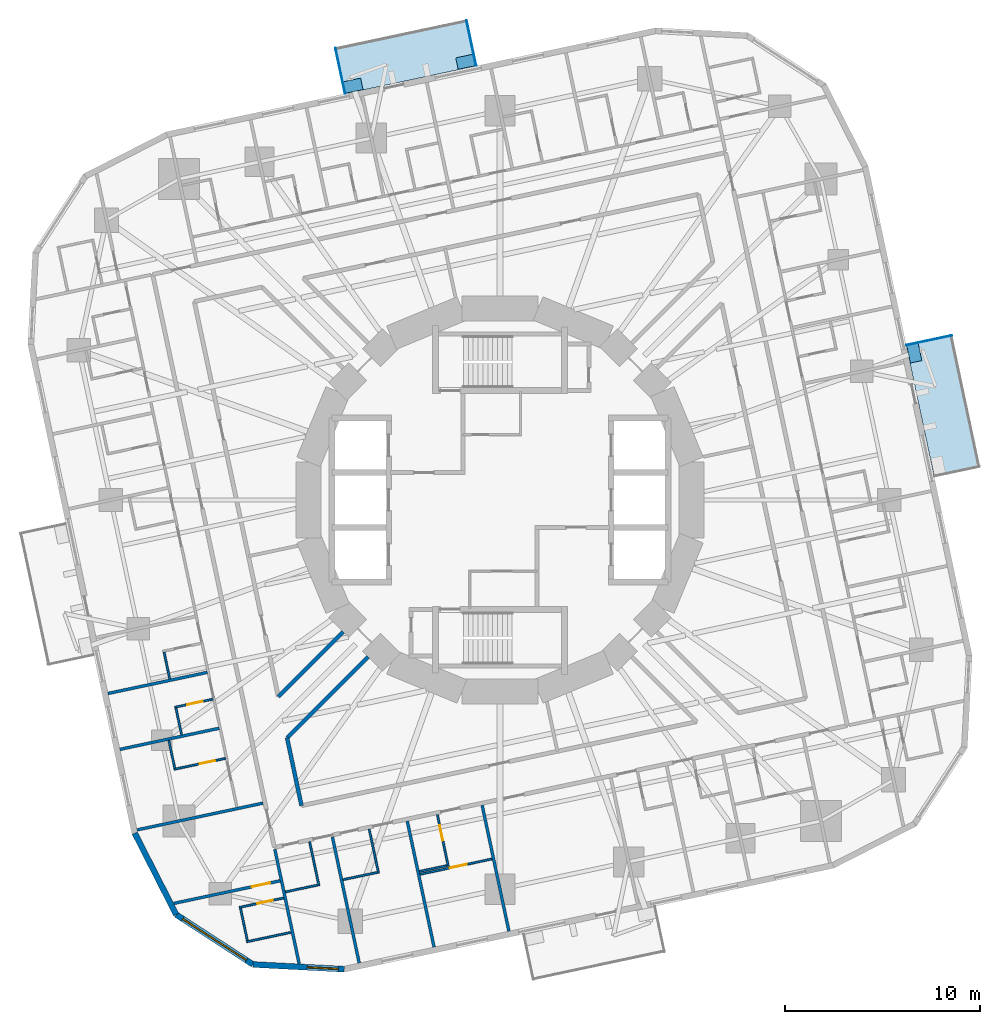
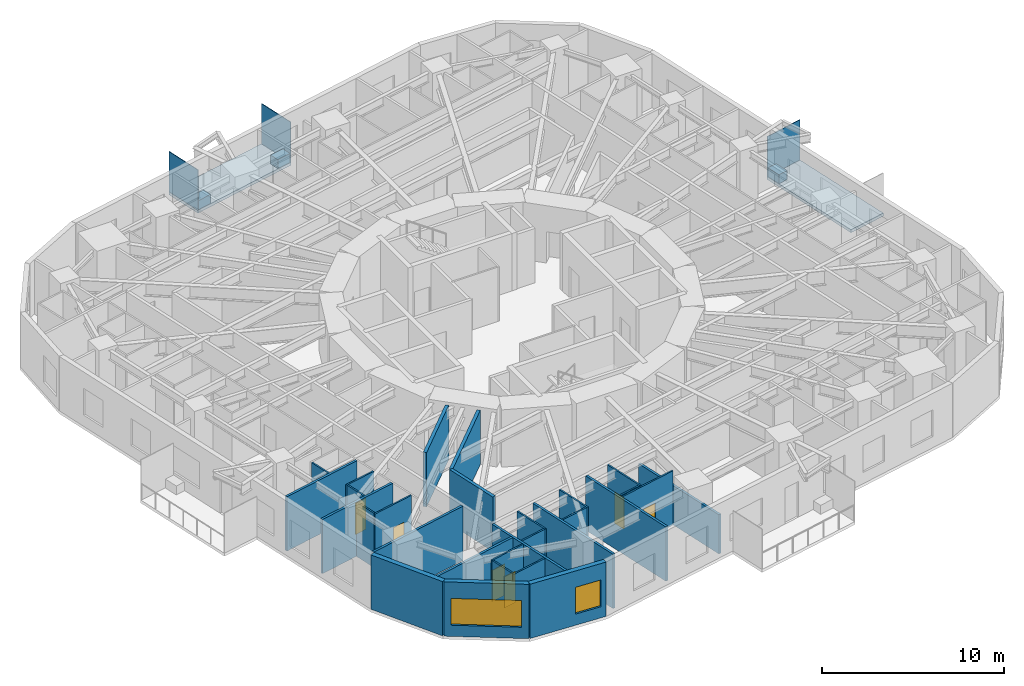
# One storey, part 4 of 14: 29 walls, 6 doors, 6 plates, 2 slabs, 2 windows, 8 openings.
"""IFC4 building model written with IfcOpenShell, lengths in metres."""

from ifc_helpers import new_model, si_unit, direction, frame, frame_2d, origin, origin_2d, place, context, subcontext, project, spatial, polyline, rectangle, outline, extrude, material, layer, layer_set, type_object, element, fill, save


model = new_model("IFC4")

# Units and contexts
model_context = context("Model", 3, precision=1e-05, world=origin(), true_north=direction((0.0, 1.0)))
body_context = subcontext(model_context, "Body", "Model", "MODEL_VIEW")
ifc_project = project(units=[si_unit("LENGTHUNIT", "METRE"), si_unit("AREAUNIT", "SQUARE_METRE"), si_unit("VOLUMEUNIT", "CUBIC_METRE"), si_unit("PLANEANGLEUNIT", "RADIAN"), si_unit("MASSUNIT", "GRAM", prefix="KILO")], contexts=[model_context])

# Site, building, storey
site_placement = place(None, origin())
site = spatial("IfcSite", under=ifc_project, at=site_placement, CompositionType="ELEMENT")
building_placement = place(site_placement, origin())
building = spatial("IfcBuilding", under=site, at=building_placement, Name="Nakasero Lantern House", CompositionType="ELEMENT")
storey_placement = place(building_placement, frame((0.0, 0.0, 105.0)))
storey = spatial("IfcBuildingStorey", under=building, at=storey_placement, Name="L25", CompositionType="ELEMENT", Elevation=105.0)

# Plates
ifc_material_1 = material(Name="Aluminium 6063-T6", Category="aluminium")
ifc_layer_1 = layer(ifc_material_1, 0.60009765625)
ifc_layer_set_1 = layer_set([ifc_layer_1], Name="Balcony planter 600x900")
plate_type_1 = type_object("IfcPlateType", Name="Balcony planter 600x900", PredefinedType="USERDEFINED", material=ifc_layer_set_1)
for number, where, z_axis, x_axis, name in (
    (1, (21.220947265625, 7.516357421875, 0.0), (0.0, 0.0, 1.0), (0.978147600734, 0.207911690818, 0.0), "Balcony PLANTER L25 BAL0B"),
    (2, (-1.764892578125, 22.443603515625, 0.0), (0.0, 0.0, 1.0), (-0.207911690818, 0.978147600734, 0.0), "Balcony PLANTER L25 BAL1A"),
    (3, (-7.516357421875, 21.220947265625, 0.0), (0.0, 0.0, 1.0), (-0.207911690818, 0.978147600734, 0.0), "Balcony PLANTER L25 BAL1B"),
):
    element("IfcPlate", number, at=place(storey_placement, frame(where, z_axis=z_axis, x_axis=x_axis)), inside=storey, type_object=plate_type_1, Name=name, ObjectType="PLANTER", PredefinedType="USERDEFINED", context=body_context, shape_type="SweptSolid", body=[
        extrude(rectangle(XDim=0.60009765625, YDim=0.89990234375, at=origin_2d()), origin(), (0.0, 0.0, 1.0), 0.60009765625),
    ])
ifc_material_2 = material(Name="Aluminium 6063-T6", Category="aluminium")
ifc_layer_2 = layer(ifc_material_2, 0.0400390625)
ifc_layer_set_2 = layer_set([ifc_layer_2], Name="Balcony screen 2400x2700")
plate_type_2 = type_object("IfcPlateType", Name="Balcony screen 2400x2700", PredefinedType="SHEET", material=ifc_layer_set_2)
for number, where, z_axis, x_axis, name in (
    (4, (21.97998046875, 8.1787109375, 0.0), (0.0, 0.0, 1.0), (0.978147600734, 0.207911690818, 0.0), "Balcony SCREEN L25 BAL0B"),
    (5, (-1.468505859375, 23.40625, 0.0), (0.0, 0.0, 1.0), (-0.207911690818, 0.978147600734, 0.0), "Balcony SCREEN L25 BAL1A"),
    (6, (-8.1787109375, 21.97998046875, 0.0), (0.0, 0.0, 1.0), (-0.207911690818, 0.978147600734, 0.0), "Balcony SCREEN L25 BAL1B"),
):
    element("IfcPlate", number, at=place(storey_placement, frame(where, z_axis=z_axis, x_axis=x_axis)), inside=storey, type_object=plate_type_2, Name=name, PredefinedType="SHEET", context=body_context, shape_type="SweptSolid", body=[
        extrude(rectangle(XDim=2.39990234375, YDim=0.0400390625, at=origin_2d()), origin(), (0.0, 0.0, 1.0), 2.699951171875),
    ])

# Slabs
ifc_material_3 = material(Name="Concrete C35/45", Category="concrete")
ifc_layer_3 = layer(ifc_material_3, 0.199951171875)
ifc_layer_set_3 = layer_set([ifc_layer_3], Name="Balcony slab 200")
slab_type = type_object("IfcSlabType", Name="Balcony slab 200", PredefinedType="USERDEFINED", material=ifc_layer_set_3)
slab_1_placement = place(storey_placement, frame((0.0, 0.0, -0.199951171875)))
element("IfcSlab", 7, at=slab_1_placement, inside=storey, type_object=slab_type, Name="Balcony L25 BAL0", ObjectType="BALCONY", PredefinedType="USERDEFINED", context=body_context, shape_type="SweptSolid", body=[
    extrude(outline(polyline([(22.236572265625, 1.199462890625), (24.583984375, 1.698486328125), (23.1494140625, 8.44775390625), (20.802001953125, 7.94873046875), (22.236572265625, 1.199462890625)])), origin(), (0.0, 0.0, 1.0), 0.199951171875),
])
slab_2_placement = place(storey_placement, frame((0.0, 0.0, -0.199951171875)))
element("IfcSlab", 8, at=slab_2_placement, inside=storey, type_object=slab_type, Name="Balcony L25 BAL1", ObjectType="BALCONY", PredefinedType="USERDEFINED", context=body_context, shape_type="SweptSolid", body=[
    extrude(outline(polyline([(-1.199462890625, 22.236572265625), (-1.698486328125, 24.583984375), (-8.44775390625, 23.1494140625), (-7.94873046875, 20.802001953125), (-1.199462890625, 22.236572265625)])), origin(), (0.0, 0.0, 1.0), 0.199951171875),
])

# Walls
ifc_material_4 = material(Name="Blockwork", Category="masonry")
ifc_layer_4 = layer(ifc_material_4, 0.199951171875)
ifc_layer_set_4 = layer_set([ifc_layer_4], Name="Corridor wall 200")
wall_type_1 = type_object("IfcWallType", Name="Corridor wall 200", PredefinedType="PARTITIONING", material=ifc_layer_set_4)
wall_1_placement = place(storey_placement, frame((-10.90625, -12.178955078125, 0.0), z_axis=(0.0, 0.0, 1.0), x_axis=(0.207962251708, -0.978136852319, 0.0)))
element("IfcWall", 9, at=wall_1_placement, inside=storey, type_object=wall_type_1, Name="Corridor wall L25 IW2-1", PredefinedType="PARTITIONING", context=body_context, shape_type="SweptSolid", body=[
    extrude(rectangle(XDim=3.5546875, YDim=0.199951171875, at=frame_2d((1.77734375, 0.0))), origin(), (0.0, 0.0, 1.0), 3.64990234375),
])
wall_2_placement = place(storey_placement, frame((-6.758544921875, -8.03125, 0.0), z_axis=(0.0, 0.0, 1.0), x_axis=(-0.707106781187, -0.707106781187, 0.0)))
element("IfcWall", 10, at=wall_2_placement, inside=storey, type_object=wall_type_1, Name="Corridor wall L25 PS10a", PredefinedType="PARTITIONING", context=body_context, shape_type="SweptSolid", body=[
    extrude(rectangle(XDim=5.86572265625, YDim=0.199951171875, at=frame_2d((2.932861328125, 0.0))), origin(), (0.0, 0.0, 1.0), 3.64990234375),
])
wall_3_placement = place(storey_placement, frame((-8.03125, -6.758544921875, 0.0), z_axis=(0.0, 0.0, 1.0), x_axis=(-0.707106781187, -0.707106781187, 0.0)))
element("IfcWall", 11, at=wall_3_placement, inside=storey, type_object=wall_type_1, Name="Corridor wall L25 PS10b", PredefinedType="PARTITIONING", context=body_context, shape_type="SweptSolid", body=[
    extrude(rectangle(XDim=4.69677734375, YDim=0.199951171875, at=frame_2d((2.348388671875, 0.0))), origin(), (0.0, 0.0, 1.0), 3.64990234375),
])
ifc_material_5 = material(Name="Blockwork", Category="masonry")
ifc_layer_5 = layer(ifc_material_5, 0.10009765625)
ifc_layer_set_5 = layer_set([ifc_layer_5], Name="En-suite wall 100")
wall_type_2 = type_object("IfcWallType", Name="En-suite wall 100", PredefinedType="PARTITIONING", material=ifc_layer_set_5)
wall_4_placement = place(storey_placement, frame((-17.2060546875, -7.79150390625, 0.0), z_axis=(0.0, 0.0, 1.0), x_axis=(0.207873355681, -0.978155748334, 0.0)))
element("IfcWall", 12, at=wall_4_placement, inside=storey, type_object=wall_type_2, Name="En-suite wall L25 EE2-05", PredefinedType="PARTITIONING", context=body_context, shape_type="SweptSolid", body=[
    extrude(rectangle(XDim=1.39990234375, YDim=0.10009765625, at=frame_2d((0.699951171875, 0.0))), origin(), (0.0, 0.0, 1.0), 3.64990234375),
])

# Wall, opening, door
wall_5_placement = place(storey_placement, frame((-14.70068359375, -10.19970703125, 0.0), z_axis=(0.0, 0.0, 1.0), x_axis=(-0.978152955943, -0.207886494942, 0.0)))
wall_5 = element("IfcWall", 13, at=wall_5_placement, inside=storey, type_object=wall_type_2, Name="En-suite wall L25 ES2-06", PredefinedType="PARTITIONING", context=body_context, shape_type="SweptSolid", body=[
    extrude(rectangle(XDim=2.0, YDim=0.10009765625, at=frame_2d((1.0, 0.0))), origin(), (0.0, 0.0, 1.0), 3.64990234375),
])
opening_1_placement = place(wall_5_placement, frame((0.550048828125, 0.0, 0.0)))
opening_1 = element("IfcOpeningElement", 14, at=opening_1_placement, cuts=wall_5, Name="Opening D02", PredefinedType="OPENING", context=body_context, shape_type="SweptSolid", body=[
    extrude(rectangle(XDim=0.800048828125, YDim=2.10009765625, at=frame_2d((0.39990234375, 1.050048828125))), frame((0.0, 0.070068359375, 0.0), z_axis=(0.0, -1.0, 0.0), x_axis=(1.0, 0.0, 0.0)), (0.0, 0.0, 1.0), 0.14013671875),
])
ifc_material_6 = material(Name="Timber C24", Category="wood")
door_type_1 = type_object("IfcDoorType", Name="En-suite door 800", OperationType="SINGLE_SWING_RIGHT", PredefinedType="DOOR", material=ifc_material_6)
door_1_placement = place(opening_1_placement, origin())
door_1 = element("IfcDoor", 15, at=door_1_placement, inside=storey, type_object=door_type_1, Name="Door L25 DE2-06", OperationType="SINGLE_SWING_LEFT", OverallHeight=2.10009765625, OverallWidth=0.800048828125, PredefinedType="DOOR", context=body_context, shape_type="SweptSolid", body=[
    extrude(rectangle(XDim=0.800048828125, YDim=2.10009765625, at=frame_2d((0.39990234375, 1.050048828125))), frame((0.0, 0.02490234375, 0.0), z_axis=(0.0, -1.0, 0.0), x_axis=(1.0, 0.0, 0.0)), (0.0, 0.0, 1.0), 0.050048828125),
])
fill(opening_1, door_1)

# Wall
wall_6_placement = place(storey_placement, frame((-16.59765625, -10.654052734375, 0.0), z_axis=(0.0, 0.0, 1.0), x_axis=(0.207873355681, -0.978155748334, 0.0)))
element("IfcWall", 16, at=wall_6_placement, inside=storey, type_object=wall_type_2, Name="En-suite wall L25 EE2-06", PredefinedType="PARTITIONING", context=body_context, shape_type="SweptSolid", body=[
    extrude(rectangle(XDim=1.39990234375, YDim=0.10009765625, at=frame_2d((0.699951171875, 0.0))), origin(), (0.0, 0.0, 1.0), 3.64990234375),
])

# Wall, opening, door
wall_7_placement = place(storey_placement, frame((-14.05615234375, -13.23193359375, 0.0), z_axis=(0.0, 0.0, 1.0), x_axis=(-0.978151725935, -0.207892282326, 0.0)))
wall_7 = element("IfcWall", 17, at=wall_7_placement, inside=storey, type_object=wall_type_2, Name="En-suite wall L25 ES2-07", PredefinedType="PARTITIONING", context=body_context, shape_type="SweptSolid", body=[
    extrude(rectangle(XDim=2.699951171875, YDim=0.10009765625, at=frame_2d((1.35009765625, 0.0))), origin(), (0.0, 0.0, 1.0), 3.64990234375),
])
opening_2_placement = place(wall_7_placement, frame((0.550048828125, 0.0, 0.0)))
opening_2 = element("IfcOpeningElement", 18, at=opening_2_placement, cuts=wall_7, Name="Opening D02", PredefinedType="OPENING", context=body_context, shape_type="SweptSolid", body=[
    extrude(rectangle(XDim=0.800048828125, YDim=2.10009765625, at=frame_2d((0.39990234375, 1.050048828125))), frame((0.0, 0.070068359375, 0.0), z_axis=(0.0, -1.0, 0.0), x_axis=(1.0, 0.0, 0.0)), (0.0, 0.0, 1.0), 0.14013671875),
])
door_2_placement = place(opening_2_placement, origin())
door_2 = element("IfcDoor", 19, at=door_2_placement, inside=storey, type_object=door_type_1, Name="Door L25 DE2-07", OperationType="SINGLE_SWING_LEFT", OverallHeight=2.10009765625, OverallWidth=0.800048828125, PredefinedType="DOOR", context=body_context, shape_type="SweptSolid", body=[
    extrude(rectangle(XDim=0.800048828125, YDim=2.10009765625, at=frame_2d((0.39990234375, 1.050048828125))), frame((0.0, 0.02490234375, 0.0), z_axis=(0.0, -1.0, 0.0), x_axis=(1.0, 0.0, 0.0)), (0.0, 0.0, 1.0), 0.050048828125),
])
fill(opening_2, door_2)

# Wall
wall_8_placement = place(storey_placement, frame((-16.9599609375, -12.315673828125, 0.0), z_axis=(0.0, 0.0, 1.0), x_axis=(0.207792295849, -0.978172971302, 0.0)))
element("IfcWall", 20, at=wall_8_placement, inside=storey, type_object=wall_type_2, Name="En-suite wall L25 EE2-07", PredefinedType="PARTITIONING", context=body_context, shape_type="SweptSolid", body=[
    extrude(rectangle(XDim=1.449951171875, YDim=0.10009765625, at=frame_2d((0.72509765625, 0.0))), origin(), (0.0, 0.0, 1.0), 3.64990234375),
])

# Wall, opening, door
wall_9_placement = place(storey_placement, frame((-11.069091796875, -20.382568359375, 0.0), z_axis=(0.0, 0.0, 1.0), x_axis=(-0.978136257952, -0.207965047255, 0.0)))
wall_9 = element("IfcWall", 21, at=wall_9_placement, inside=storey, type_object=wall_type_2, Name="En-suite wall L25 ES2-08", PredefinedType="PARTITIONING", context=body_context, shape_type="SweptSolid", body=[
    extrude(rectangle(XDim=2.3349609375, YDim=0.10009765625, at=frame_2d((1.16748046875, 0.0))), origin(), (0.0, 0.0, 1.0), 3.64990234375),
])
opening_3_placement = place(wall_9_placement, frame((0.5849609375, 0.0, 0.0)))
opening_3 = element("IfcOpeningElement", 22, at=opening_3_placement, cuts=wall_9, Name="Opening D02", PredefinedType="OPENING", context=body_context, shape_type="SweptSolid", body=[
    extrude(rectangle(XDim=0.800048828125, YDim=2.10009765625, at=frame_2d((0.39990234375, 1.050048828125))), frame((0.0, 0.070068359375, 0.0), z_axis=(0.0, -1.0, 0.0), x_axis=(1.0, 0.0, 0.0)), (0.0, 0.0, 1.0), 0.14013671875),
])
door_3_placement = place(opening_3_placement, origin())
door_3 = element("IfcDoor", 23, at=door_3_placement, inside=storey, type_object=door_type_1, Name="Door L25 DE2-08", OperationType="SINGLE_SWING_LEFT", OverallHeight=2.10009765625, OverallWidth=0.800048828125, PredefinedType="DOOR", context=body_context, shape_type="SweptSolid", body=[
    extrude(rectangle(XDim=0.800048828125, YDim=2.10009765625, at=frame_2d((0.39990234375, 1.050048828125))), frame((0.0, 0.02490234375, 0.0), z_axis=(0.0, -1.0, 0.0), x_axis=(1.0, 0.0, 0.0)), (0.0, 0.0, 1.0), 0.050048828125),
])
fill(opening_3, door_3)

# Walls
wall_10_placement = place(storey_placement, frame((-13.293701171875, -20.906494140625, 0.0), z_axis=(0.0, 0.0, 1.0), x_axis=(0.207812379357, -0.978168704767, 0.0)))
element("IfcWall", 24, at=wall_10_placement, inside=storey, type_object=wall_type_2, Name="En-suite wall L25 EE2-08", PredefinedType="PARTITIONING", context=body_context, shape_type="SweptSolid", body=[
    extrude(rectangle(XDim=1.699951171875, YDim=0.10009765625, at=frame_2d((0.85009765625, 0.0))), origin(), (0.0, 0.0, 1.0), 3.64990234375),
])
for number, where, z_axis, x_axis, name in (
    (25, (-10.72900390625, -22.150634765625, 0.0), (0.0, 0.0, 1.0), (-0.978162897375, -0.207839712757, 0.0), "En-suite wall L25 EV2-08"),
    (26, (-9.74755859375, -17.50927734375, 0.0), (0.0, 0.0, 1.0), (0.207839712757, -0.978162897375, 0.0), "En-suite wall L25 ES3-00"),
):
    element("IfcWall", number, at=place(storey_placement, frame(where, z_axis=z_axis, x_axis=x_axis)), inside=storey, type_object=wall_type_2, Name=name, PredefinedType="PARTITIONING", context=body_context, shape_type="SweptSolid", body=[
        extrude(rectangle(XDim=2.300048828125, YDim=0.10009765625, at=frame_2d((1.14990234375, 0.0))), origin(), (0.0, 0.0, 1.0), 3.64990234375),
    ])
wall_11_placement = place(storey_placement, frame((-10.99169921875, -20.073974609375, 0.0), z_axis=(0.0, 0.0, 1.0), x_axis=(0.97814571127, 0.207920579847, 0.0)))
element("IfcWall", 27, at=wall_11_placement, inside=storey, type_object=wall_type_2, Name="En-suite wall L25 EE3-00", PredefinedType="PARTITIONING", context=body_context, shape_type="SweptSolid", body=[
    extrude(rectangle(XDim=1.7001953125, YDim=0.10009765625, at=frame_2d((0.85009765625, 0.0))), origin(), (0.0, 0.0, 1.0), 3.64990234375),
])
wall_12_placement = place(storey_placement, frame((-6.69970703125, -16.861328125, 0.0), z_axis=(0.0, 0.0, 1.0), x_axis=(0.207941273027, -0.978141312374, 0.0)))
element("IfcWall", 28, at=wall_12_placement, inside=storey, type_object=wall_type_2, Name="En-suite wall L25 ES3-01", PredefinedType="PARTITIONING", context=body_context, shape_type="SweptSolid", body=[
    extrude(rectangle(XDim=2.300048828125, YDim=0.10009765625, at=frame_2d((1.14990234375, 0.0))), origin(), (0.0, 0.0, 1.0), 3.64990234375),
])
wall_13_placement = place(storey_placement, frame((-8.041259765625, -19.44677734375, 0.0), z_axis=(0.0, 0.0, 1.0), x_axis=(0.978140575842, 0.207944737591, 0.0)))
element("IfcWall", 29, at=wall_13_placement, inside=storey, type_object=wall_type_2, Name="En-suite wall L25 EE3-01", PredefinedType="PARTITIONING", context=body_context, shape_type="SweptSolid", body=[
    extrude(rectangle(XDim=1.7998046875, YDim=0.10009765625, at=frame_2d((0.89990234375, 0.0))), origin(), (0.0, 0.0, 1.0), 3.64990234375),
])

# Wall, opening, door
wall_14_placement = place(storey_placement, frame((-3.2080078125, -16.119140625, 0.0), z_axis=(0.0, 0.0, 1.0), x_axis=(0.207873895514, -0.97815563361, 0.0)))
wall_14 = element("IfcWall", 30, at=wall_14_placement, inside=storey, type_object=wall_type_2, Name="En-suite wall L25 ES3-02", PredefinedType="PARTITIONING", context=body_context, shape_type="SweptSolid", body=[
    extrude(rectangle(XDim=2.7001953125, YDim=0.10009765625, at=frame_2d((1.35009765625, 0.0))), origin(), (0.0, 0.0, 1.0), 3.64990234375),
])
opening_4_placement = place(wall_14_placement, frame((0.550048828125, 0.0, 0.0)))
opening_4 = element("IfcOpeningElement", 31, at=opening_4_placement, cuts=wall_14, Name="Opening D02", PredefinedType="OPENING", context=body_context, shape_type="SweptSolid", body=[
    extrude(rectangle(XDim=0.800048828125, YDim=2.10009765625, at=frame_2d((0.39990234375, 1.050048828125))), frame((0.0, 0.070068359375, 0.0), z_axis=(0.0, -1.0, 0.0), x_axis=(1.0, 0.0, 0.0)), (0.0, 0.0, 1.0), 0.14013671875),
])
door_4_placement = place(opening_4_placement, origin())
door_4 = element("IfcDoor", 32, at=door_4_placement, inside=storey, type_object=door_type_1, Name="Door L25 DE3-02", OperationType="SINGLE_SWING_LEFT", OverallHeight=2.10009765625, OverallWidth=0.800048828125, PredefinedType="DOOR", context=body_context, shape_type="SweptSolid", body=[
    extrude(rectangle(XDim=0.800048828125, YDim=2.10009765625, at=frame_2d((0.39990234375, 1.050048828125))), frame((0.0, 0.02490234375, 0.0), z_axis=(0.0, -1.0, 0.0), x_axis=(1.0, 0.0, 0.0)), (0.0, 0.0, 1.0), 0.050048828125),
])
fill(opening_4, door_4)

# Wall
wall_15_placement = place(storey_placement, frame((-4.124267578125, -19.023193359375, 0.0), z_axis=(0.0, 0.0, 1.0), x_axis=(0.978138732977, 0.207953405961, 0.0)))
element("IfcWall", 33, at=wall_15_placement, inside=storey, type_object=wall_type_2, Name="En-suite wall L25 EE3-02", PredefinedType="PARTITIONING", context=body_context, shape_type="SweptSolid", body=[
    extrude(rectangle(XDim=1.449951171875, YDim=0.10009765625, at=frame_2d((0.72509765625, 0.0))), origin(), (0.0, 0.0, 1.0), 3.64990234375),
])

# Wall, opening, door
wall_16_placement = place(storey_placement, frame((-4.09326171875, -19.169921875, 0.0), z_axis=(0.0, 0.0, 1.0), x_axis=(0.978150784773, 0.207896710529, 0.0)))
wall_16 = element("IfcWall", 34, at=wall_16_placement, inside=storey, type_object=wall_type_2, Name="En-suite wall L25 EL3-02", PredefinedType="PARTITIONING", context=body_context, shape_type="SweptSolid", body=[
    extrude(rectangle(XDim=3.76953125, YDim=0.10009765625, at=frame_2d((1.884765625, 0.0))), origin(), (0.0, 0.0, 1.0), 3.64990234375),
])
opening_5_placement = place(wall_16_placement, frame((1.550048828125, 0.0, 0.0)))
opening_5 = element("IfcOpeningElement", 35, at=opening_5_placement, cuts=wall_16, Name="Opening D17", PredefinedType="OPENING", context=body_context, shape_type="SweptSolid", body=[
    extrude(rectangle(XDim=0.89990234375, YDim=2.10009765625, at=frame_2d((0.449951171875, 1.050048828125))), frame((0.0, 0.070068359375, 0.0), z_axis=(0.0, -1.0, 0.0), x_axis=(1.0, 0.0, 0.0)), (0.0, 0.0, 1.0), 0.14013671875),
])
ifc_material_7 = material(Name="Timber C24", Category="wood")
door_type_2 = type_object("IfcDoorType", Name="Bedroom door FD30S 900", OperationType="SINGLE_SWING_LEFT", PredefinedType="DOOR", material=ifc_material_7)
door_5_placement = place(opening_5_placement, origin())
door_5 = element("IfcDoor", 36, at=door_5_placement, inside=storey, type_object=door_type_2, Name="Door L25 DL3-02", OperationType="SINGLE_SWING_RIGHT", OverallHeight=2.10009765625, OverallWidth=0.89990234375, PredefinedType="DOOR", context=body_context, shape_type="SweptSolid", body=[
    extrude(rectangle(XDim=0.89990234375, YDim=2.10009765625, at=frame_2d((0.449951171875, 1.050048828125))), frame((0.0, 0.02490234375, 0.0), z_axis=(0.0, -1.0, 0.0), x_axis=(1.0, 0.0, 0.0)), (0.0, 0.0, 1.0), 0.050048828125),
])
fill(opening_5, door_5)

# Wall
ifc_material_8 = material(Name="Aluminium rainscreen on blockwork", Category="masonry")
ifc_layer_6 = layer(ifc_material_8, 0.300048828125)
ifc_layer_set_6 = layer_set([ifc_layer_6], Name="Facade wall 300")
wall_type_3 = type_object("IfcWallType", Name="Facade wall 300", PredefinedType="SOLIDWALL", material=ifc_layer_set_6)
wall_17_placement = place(storey_placement, frame((-18.711181640625, -17.063232421875, 0.0), z_axis=(0.0, 0.0, 1.0), x_axis=(0.453975745332, -0.89101404178, 0.0)))
element("IfcWall", 37, at=wall_17_placement, inside=storey, type_object=wall_type_3, Name="Facade wall L25 FW2C1", PredefinedType="SOLIDWALL", context=body_context, shape_type="SweptSolid", body=[
    extrude(rectangle(XDim=4.6845703125, YDim=0.300048828125, at=frame_2d((2.34228515625, 0.0))), origin(), (0.0, 0.0, 1.0), 3.64990234375),
])

# Wall, opening, window
wall_18_placement = place(storey_placement, frame((-16.58447265625, -21.2373046875, 0.0), z_axis=(0.0, 0.0, 1.0), x_axis=(0.838692381994, -0.544605442853, 0.0)))
wall_18 = element("IfcWall", 38, at=wall_18_placement, inside=storey, type_object=wall_type_3, Name="Facade wall L25 FW2C2", PredefinedType="SOLIDWALL", context=body_context, shape_type="SweptSolid", body=[
    extrude(rectangle(XDim=4.6845703125, YDim=0.300048828125, at=frame_2d((2.34228515625, 0.0))), origin(), (0.0, 0.0, 1.0), 3.64990234375),
])
opening_6_placement = place(wall_18_placement, frame((0.39990234375, 0.0, 0.75)))
opening_6 = element("IfcOpeningElement", 39, at=opening_6_placement, cuts=wall_18, Name="Opening W238", PredefinedType="OPENING", context=body_context, shape_type="SweptSolid", body=[
    extrude(rectangle(XDim=3.885009765625, YDim=1.800048828125, at=frame_2d((1.9423828125, 0.89990234375))), frame((0.0, 0.169921875, 0.0), z_axis=(0.0, -1.0, 0.0), x_axis=(1.0, 0.0, 0.0)), (0.0, 0.0, 1.0), 0.340087890625),
])
ifc_material_9 = material(Name="Aluminium 6063-T6 and glass", Category="aluminium")
window_type_1 = type_object("IfcWindowType", Name="Corner window 3885x1800", PartitioningType="SINGLE_PANEL", PredefinedType="WINDOW", material=ifc_material_9)
window_1_placement = place(opening_6_placement, origin())
window_1 = element("IfcWindow", 40, at=window_1_placement, inside=storey, type_object=window_type_1, Name="Window L25 WC2", OverallHeight=1.800048828125, OverallWidth=3.885009765625, PartitioningType="SINGLE_PANEL", PredefinedType="WINDOW", context=body_context, shape_type="SweptSolid", body=[
    extrude(rectangle(XDim=3.885009765625, YDim=1.800048828125, at=frame_2d((1.9423828125, 0.89990234375))), frame((0.0, 0.030029296875, 0.0), z_axis=(0.0, -1.0, 0.0), x_axis=(1.0, 0.0, 0.0)), (0.0, 0.0, 1.0), 0.06005859375),
])
fill(opening_6, window_1)

wall_19_placement = place(storey_placement, frame((-12.655517578125, -23.78857421875, 0.0), z_axis=(0.0, 0.0, 1.0), x_axis=(0.998630039879, -0.052326317, 0.0)))
wall_19 = element("IfcWall", 41, at=wall_19_placement, inside=storey, type_object=wall_type_3, Name="Facade wall L25 FW2C3", PredefinedType="SOLIDWALL", context=body_context, shape_type="SweptSolid", body=[
    extrude(rectangle(XDim=4.684326171875, YDim=0.300048828125, at=frame_2d((2.34228515625, 0.0))), origin(), (0.0, 0.0, 1.0), 3.64990234375),
])
opening_7_placement = place(wall_19_placement, frame((2.784912109375, 0.0, 0.75)))
opening_7 = element("IfcOpeningElement", 42, at=opening_7_placement, cuts=wall_19, Name="Opening W01", PredefinedType="OPENING", context=body_context, shape_type="SweptSolid", body=[
    extrude(rectangle(XDim=1.60009765625, YDim=1.800048828125, at=frame_2d((0.800048828125, 0.89990234375))), frame((0.0, 0.169921875, 0.0), z_axis=(0.0, -1.0, 0.0), x_axis=(1.0, 0.0, 0.0)), (0.0, 0.0, 1.0), 0.340087890625),
])
ifc_material_10 = material(Name="Aluminium 6063-T6 and glass", Category="aluminium")
window_type_2 = type_object("IfcWindowType", Name="Bedroom window 1600x1800", PartitioningType="SINGLE_PANEL", PredefinedType="WINDOW", material=ifc_material_10)
window_2_placement = place(opening_7_placement, origin())
window_2 = element("IfcWindow", 43, at=window_2_placement, inside=storey, type_object=window_type_2, Name="Window L25 WN3-00", OverallHeight=1.800048828125, OverallWidth=1.60009765625, PartitioningType="SINGLE_PANEL", PredefinedType="WINDOW", context=body_context, shape_type="SweptSolid", body=[
    extrude(rectangle(XDim=1.60009765625, YDim=1.800048828125, at=frame_2d((0.800048828125, 0.89990234375))), frame((0.0, 0.030029296875, 0.0), z_axis=(0.0, -1.0, 0.0), x_axis=(1.0, 0.0, 0.0)), (0.0, 0.0, 1.0), 0.06005859375),
])
fill(opening_7, window_2)

# Walls
ifc_material_11 = material(Name="Blockwork", Category="masonry")
ifc_layer_7 = layer(ifc_material_11, 0.14990234375)
ifc_layer_set_7 = layer_set([ifc_layer_7], Name="Party wall 150")
wall_type_4 = type_object("IfcWallType", Name="Party wall 150", PredefinedType="PARTITIONING", material=ifc_layer_set_7)
for number, where, z_axis, x_axis, name in (
    (44, (-14.991943359375, -8.828857421875, 0.0), (0.0, 0.0, 1.0), (-0.978151452323, -0.207893569688, 0.0), "Party wall L25 PW2-06"),
    (45, (-14.383544921875, -11.69140625, 0.0), (0.0, 0.0, 1.0), (-0.978151452323, -0.207893569688, 0.0), "Party wall L25 PW2-07"),
):
    element("IfcWall", number, at=place(storey_placement, frame(where, z_axis=z_axis, x_axis=x_axis)), inside=storey, type_object=wall_type_4, Name=name, PredefinedType="PARTITIONING", context=body_context, shape_type="SweptSolid", body=[
        extrude(rectangle(XDim=5.199951171875, YDim=0.14990234375, at=frame_2d((2.60009765625, 0.0))), origin(), (0.0, 0.0, 1.0), 3.64990234375),
    ])
wall_20_placement = place(storey_placement, frame((-12.13720703125, -15.526123046875, 0.0), z_axis=(0.0, 0.0, 1.0), x_axis=(-0.978144841009, -0.207924673876, 0.0)))
element("IfcWall", 46, at=wall_20_placement, inside=storey, type_object=wall_type_4, Name="Party wall L25 PW2-08", PredefinedType="PARTITIONING", context=body_context, shape_type="SweptSolid", body=[
    extrude(rectangle(XDim=6.60009765625, YDim=0.14990234375, at=frame_2d((3.300048828125, 0.0))), origin(), (0.0, 0.0, 1.0), 3.64990234375),
])

# Wall, opening, door
wall_21_placement = place(storey_placement, frame((-11.256103515625, -19.502197265625, 0.0), z_axis=(0.0, 0.0, 1.0), x_axis=(-0.978142361087, -0.207936339891, 0.0)))
wall_21 = element("IfcWall", 47, at=wall_21_placement, inside=storey, type_object=wall_type_4, Name="Party wall L25 PC2", PredefinedType="PARTITIONING", context=body_context, shape_type="SweptSolid", body=[
    extrude(rectangle(XDim=5.570068359375, YDim=0.14990234375, at=frame_2d((2.78515625, 0.0))), origin(), (0.0, 0.0, 1.0), 3.64990234375),
])
opening_8_placement = place(wall_21_placement, frame((0.534912109375, 0.0, 0.0)))
opening_8 = element("IfcOpeningElement", 48, at=opening_8_placement, cuts=wall_21, Name="Opening D01", PredefinedType="OPENING", context=body_context, shape_type="SweptSolid", body=[
    extrude(rectangle(XDim=0.949951171875, YDim=2.10009765625, at=frame_2d((0.47509765625, 1.050048828125))), frame((0.0, 0.094970703125, 0.0), z_axis=(0.0, -1.0, 0.0), x_axis=(1.0, 0.0, 0.0)), (0.0, 0.0, 1.0), 0.18994140625),
])
ifc_material_12 = material(Name="Timber C24", Category="wood")
door_type_3 = type_object("IfcDoorType", Name="Bedroom door FD30S 950", OperationType="SINGLE_SWING_LEFT", PredefinedType="DOOR", material=ifc_material_12)
door_6_placement = place(opening_8_placement, origin())
door_6 = element("IfcDoor", 49, at=door_6_placement, inside=storey, type_object=door_type_3, Name="Door L25 DC2", OperationType="SINGLE_SWING_LEFT", OverallHeight=2.10009765625, OverallWidth=0.949951171875, PredefinedType="DOOR", context=body_context, shape_type="SweptSolid", body=[
    extrude(rectangle(XDim=0.949951171875, YDim=2.10009765625, at=frame_2d((0.47509765625, 1.050048828125))), frame((0.0, 0.02490234375, 0.0), z_axis=(0.0, -1.0, 0.0), x_axis=(1.0, 0.0, 0.0)), (0.0, 0.0, 1.0), 0.050048828125),
])
fill(opening_8, door_6)

# Walls
wall_22_placement = place(storey_placement, frame((-11.53271484375, -17.888671875, 0.0), z_axis=(0.0, 0.0, 1.0), x_axis=(0.207886494942, -0.978152955943, 0.0)))
element("IfcWall", 50, at=wall_22_placement, inside=storey, type_object=wall_type_4, Name="Party wall L25 PW3-00", PredefinedType="PARTITIONING", context=body_context, shape_type="SweptSolid", body=[
    extrude(rectangle(XDim=6.0, YDim=0.14990234375, at=frame_2d((3.0, 0.0))), origin(), (0.0, 0.0, 1.0), 3.64990234375),
])
wall_23_placement = place(storey_placement, frame((-8.58251953125, -17.26171875, 0.0), z_axis=(0.0, 0.0, 1.0), x_axis=(0.207932197326, -0.978143241716, 0.0)))
element("IfcWall", 51, at=wall_23_placement, inside=storey, type_object=wall_type_4, Name="Party wall L25 PW3-01", PredefinedType="PARTITIONING", context=body_context, shape_type="SweptSolid", body=[
    extrude(rectangle(XDim=6.599853515625, YDim=0.14990234375, at=frame_2d((3.2998046875, 0.0))), origin(), (0.0, 0.0, 1.0), 3.64990234375),
])
wall_24_placement = place(storey_placement, frame((-4.748779296875, -16.44677734375, 0.0), z_axis=(0.0, 0.0, 1.0), x_axis=(0.207924673876, -0.978144841009, 0.0)))
element("IfcWall", 52, at=wall_24_placement, inside=storey, type_object=wall_type_4, Name="Party wall L25 PW3-02", PredefinedType="PARTITIONING", context=body_context, shape_type="SweptSolid", body=[
    extrude(rectangle(XDim=6.60009765625, YDim=0.14990234375, at=frame_2d((3.300048828125, 0.0))), origin(), (0.0, 0.0, 1.0), 3.64990234375),
])
wall_25_placement = place(storey_placement, frame((-0.914794921875, -15.6318359375, 0.0), z_axis=(0.0, 0.0, 1.0), x_axis=(0.207924673876, -0.978144841009, 0.0)))
element("IfcWall", 53, at=wall_25_placement, inside=storey, type_object=wall_type_4, Name="Party wall L25 PW3-03", PredefinedType="PARTITIONING", context=body_context, shape_type="SweptSolid", body=[
    extrude(rectangle(XDim=6.60009765625, YDim=0.14990234375, at=frame_2d((3.300048828125, 0.0))), origin(), (0.0, 0.0, 1.0), 2.634033203125),
])

save(model, "model.ifc")
